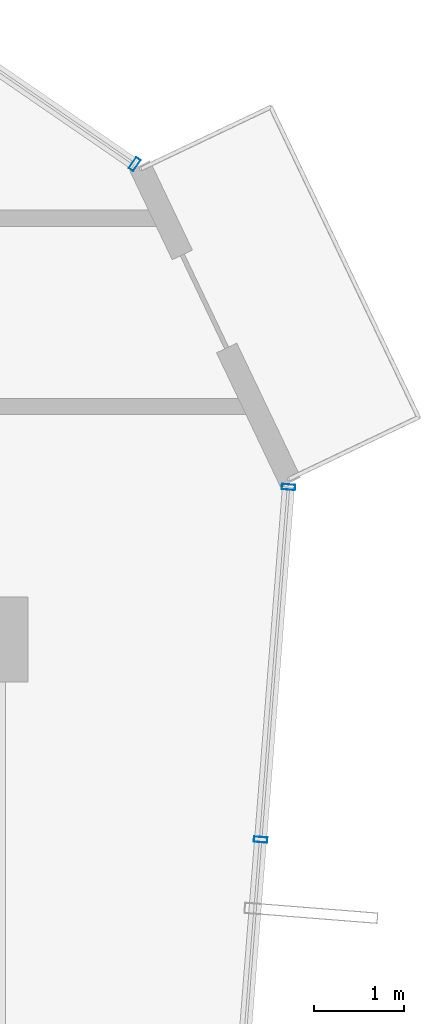
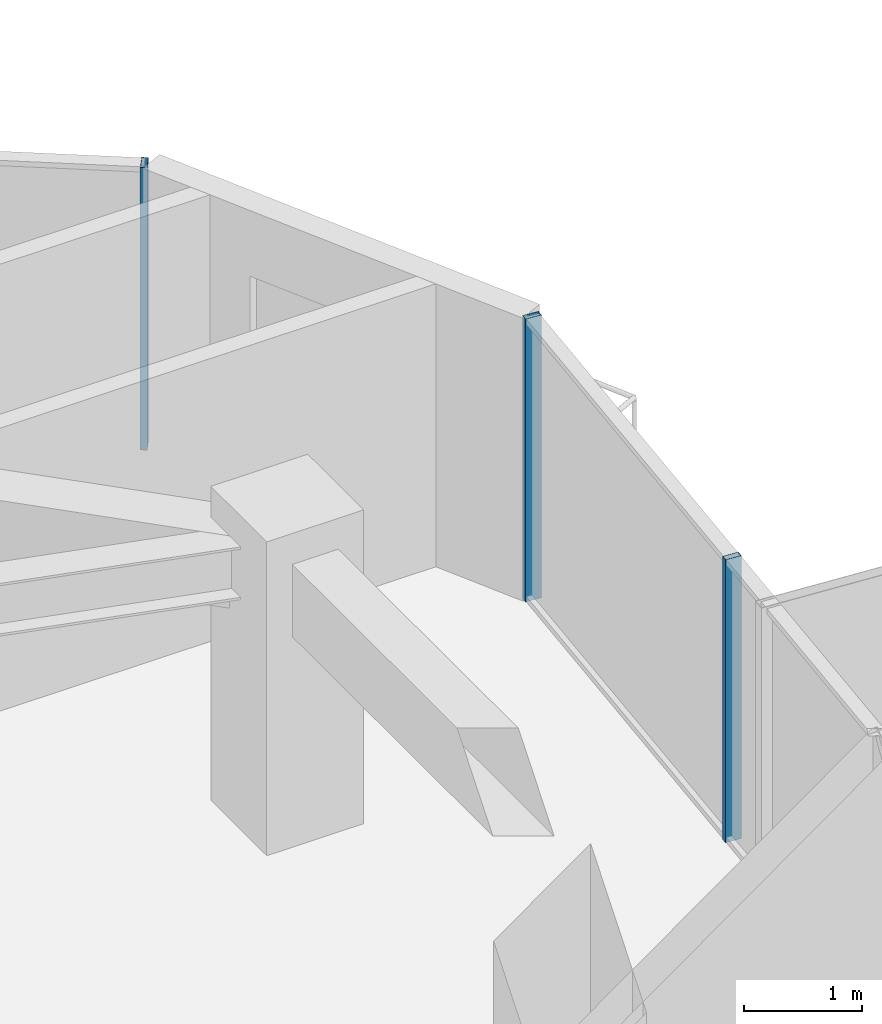
# One storey, part 17 of 29: 3 members, 2 elements without a shape of their own.
"""IFC4 building model written with IfcOpenShell, lengths in metres."""

from ifc_helpers import new_model, si_unit, direction, frame, origin, origin_2d, place, context, subcontext, project, spatial, hollow_rectangle, extrude, source, transform, mapped, material, layer, layer_set, material_profile, profile_set, type_object, element, aggregate, save


model = new_model("IFC4")

# Units and contexts
model_context = context("Model", 3, precision=1e-05, world=origin(), true_north=direction((0.0, 1.0)))
body_context = subcontext(model_context, "Body", "Model", "MODEL_VIEW")
ifc_project = project(units=[si_unit("LENGTHUNIT", "METRE"), si_unit("AREAUNIT", "SQUARE_METRE"), si_unit("VOLUMEUNIT", "CUBIC_METRE"), si_unit("PLANEANGLEUNIT", "RADIAN"), si_unit("MASSUNIT", "GRAM", prefix="KILO")], contexts=[model_context])

# Site, building, storey
site_placement = place(None, origin())
site = spatial("IfcSite", under=ifc_project, at=site_placement, CompositionType="ELEMENT")
building_placement = place(site_placement, origin())
building = spatial("IfcBuilding", under=site, at=building_placement, Name="Veraguas Prism Commons", CompositionType="ELEMENT")
storey_placement = place(building_placement, frame((0.0, 0.0, 222.14990234375)))
storey = spatial("IfcBuildingStorey", under=building, at=storey_placement, Name="L63", CompositionType="ELEMENT", Elevation=222.14990234375)

# Curtain wall, member
ifc_material = material(Name="Anodised aluminium EN AW-6063 T6", Category="aluminium")
ifc_layer = layer(ifc_material, 0.14990234375, Name="Unitised Flush Curtain Wall Zone 3", Category="aluminium")
ifc_layer_set = layer_set([ifc_layer], Name="Anodised aluminium EN AW-6063 T6")
curtain_wall_type = type_object("IfcCurtainWallType", Name="Unitised Flush Curtain Wall Zone 3", PredefinedType="NOTDEFINED", material=ifc_layer_set)
curtain_wall_1_placement = place(storey_placement, origin())
curtain_wall_1 = element("IfcCurtainWall", 1, at=curtain_wall_1_placement, inside=storey, type_object=curtain_wall_type, Name="Tower Facade Curtain Wall L63-F1", PredefinedType="NOTDEFINED")
ifc_material_profile = material_profile(ifc_material, hollow_rectangle(XDim=0.06005859375, YDim=0.14990234375, WallThickness=0.0029296875, at=origin_2d()), Name="AL60X150X3")
ifc_profile_set = profile_set([ifc_material_profile], Name="Anodised aluminium EN AW-6063 T6")
member_type = type_object("IfcMemberType", Name="Curtain Wall Mullion Upper AL 60x150x3", PredefinedType="MULLION", material=ifc_profile_set)
shared_shape = source(origin(), body_context, "Body", "SweptSolid", [
    extrude(hollow_rectangle(XDim=0.06005859375, YDim=0.14990234375, WallThickness=0.0029296875, at=origin_2d()), origin(), (0.0, 0.0, 1.0), 2.93017578125),
])
member_1_placement = place(storey_placement, frame((40.562744140625, 34.10302734375, 0.0), z_axis=(0.0, 0.0, 1.0), x_axis=(-0.823926447203, 0.56669675277, 0.0)))
member_1 = element("IfcMember", 2, at=member_1_placement, type_object=member_type, Name="CW-Z3 Mullion 1", PredefinedType="MULLION", context=body_context, shape_type="MappedRepresentation", body=[
    mapped(shared_shape, transform((0.0, 0.0, 0.0), scale=1.0)),
])
aggregate(curtain_wall_1, [member_1])

# Curtain wall, members
curtain_wall_2_placement = place(storey_placement, origin())
curtain_wall_2 = element("IfcCurtainWall", 3, at=curtain_wall_2_placement, inside=storey, type_object=curtain_wall_type, Name="Tower Facade Curtain Wall L63-F6", PredefinedType="NOTDEFINED")
member_2_placement = place(storey_placement, frame((41.968505859375, 26.567626953125, 0.0), z_axis=(0.0, 0.0, 1.0), x_axis=(0.07881230044, 0.99688947296, 0.0)))
member_2 = element("IfcMember", 4, at=member_2_placement, type_object=member_type, Name="CW-Z3 Mullion 4", PredefinedType="MULLION", context=body_context, shape_type="MappedRepresentation", body=[
    mapped(shared_shape, transform((0.0, 0.0, 0.0), scale=1.0)),
])
member_3_placement = place(storey_placement, frame((42.279541015625, 30.5009765625, 0.0), z_axis=(0.0, 0.0, 1.0), x_axis=(0.07881230044, 0.99688947296, 0.0)))
member_3 = element("IfcMember", 5, at=member_3_placement, type_object=member_type, Name="CW-Z3 Mullion 5", PredefinedType="MULLION", context=body_context, shape_type="MappedRepresentation", body=[
    mapped(shared_shape, transform((0.0, 0.0, 0.0), scale=1.0)),
])
aggregate(curtain_wall_2, [member_2, member_3])

save(model, "model.ifc")
